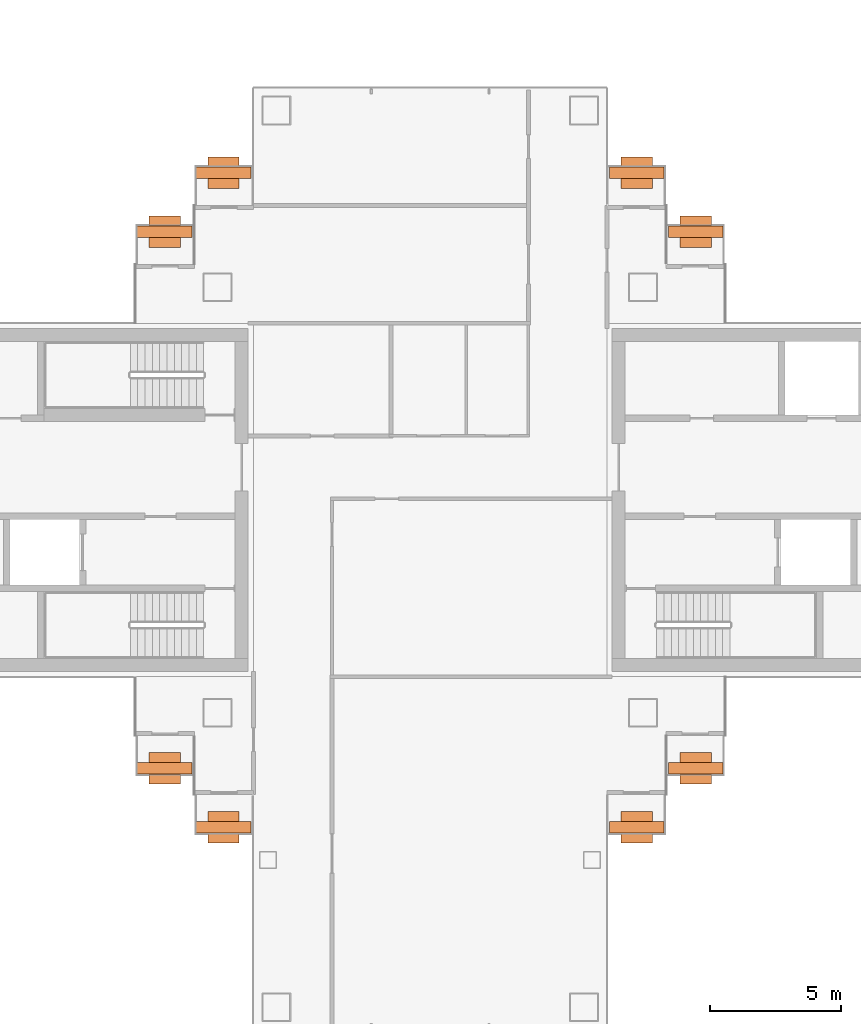
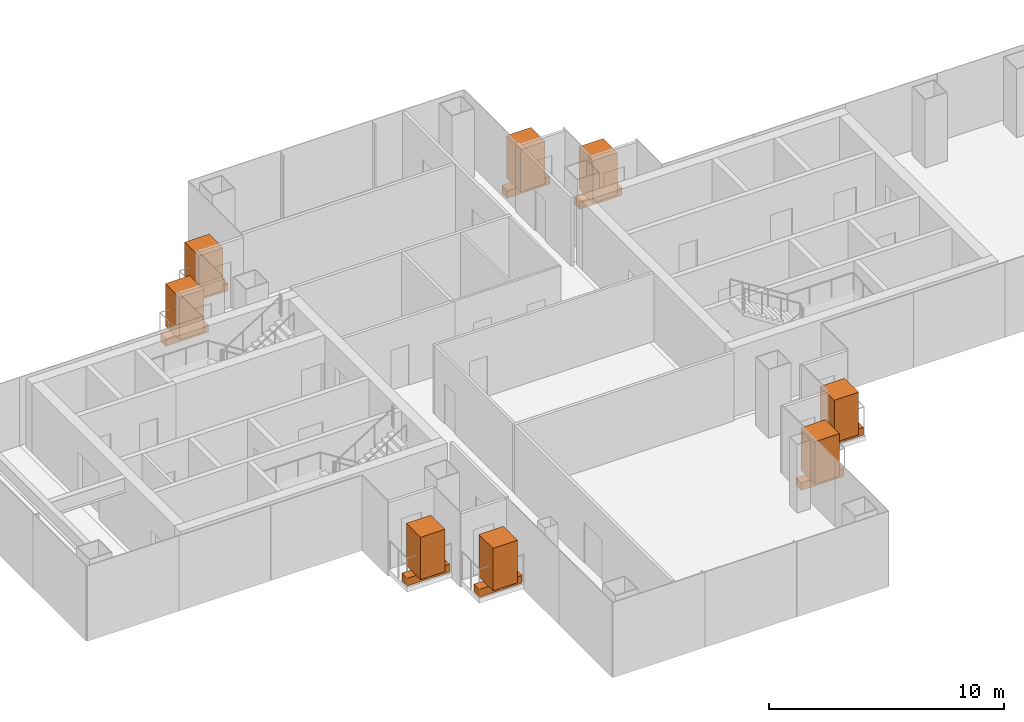
# One storey, part 16 of 16: 8 geographic elements, 8 proxies.
"""IFC4 building model written with IfcOpenShell, lengths in metres."""

from ifc_helpers import new_model, si_unit, direction, frame, origin, origin_2d, place, context, subcontext, project, spatial, rectangle, extrude, material, type_object, element, save


model = new_model("IFC4")

# Units and contexts
model_context = context("Model", 3, precision=1e-05, world=origin(), true_north=direction((0.0, 1.0)))
body_context = subcontext(model_context, "Body", "Model", "MODEL_VIEW")
ifc_project = project(units=[si_unit("LENGTHUNIT", "METRE"), si_unit("AREAUNIT", "SQUARE_METRE"), si_unit("VOLUMEUNIT", "CUBIC_METRE"), si_unit("PLANEANGLEUNIT", "RADIAN"), si_unit("MASSUNIT", "GRAM", prefix="KILO")], contexts=[model_context])

# Site, building, storey
site_placement = place(None, origin())
site = spatial("IfcSite", under=ifc_project, at=site_placement, CompositionType="ELEMENT")
building_placement = place(site_placement, origin())
building = spatial("IfcBuilding", under=site, at=building_placement, Name="Shamsa Quay Exchange Towers", CompositionType="ELEMENT")
storey_placement = place(building_placement, frame((0.0, 0.0, 150.60009765625)))
storey = spatial("IfcBuildingStorey", under=building, at=storey_placement, Name="L35", CompositionType="ELEMENT", Elevation=150.60009765625)

# Proxies
ifc_material_1 = material(Name="Reinforced concrete C30/37, black glass-fibre faced", Category="concrete")
building_element_proxy_type = type_object("IfcBuildingElementProxyType", Name="BALCONY PLANTER", PredefinedType="USERDEFINED", material=ifc_material_1)
for number, where, z_axis, x_axis, name in (
    (1, (-23.60595703125, 10.2451171875, 0.0), (0.0, 0.0, 1.0), (-1.0, 0.0, 0.0), "PLANTER T1-PKEN L35"),
    (2, (-25.85595703125, 12.4951171875, 0.0), (0.0, 0.0, 1.0), (-1.0, 0.0, 0.0), "PLANTER T1-PKEN L35"),
):
    element("IfcBuildingElementProxy", number, at=place(storey_placement, frame(where, z_axis=z_axis, x_axis=x_axis)), inside=storey, type_object=building_element_proxy_type, Name=name, ObjectType="PLANTER", PredefinedType="USERDEFINED", context=body_context, shape_type="SweptSolid", body=[
        extrude(rectangle(XDim=2.092041015625, YDim=0.449951171875, at=origin_2d()), origin(), (0.0, 0.0, 1.0), 0.39990234375),
    ])
for number, where, name in (
    (3, (-23.60595703125, -10.2451171875, 0.0), "PLANTER T1-PKES L35"),
    (4, (-25.85595703125, -12.4951171875, 0.0), "PLANTER T1-PKES L35"),
):
    element("IfcBuildingElementProxy", number, at=place(storey_placement, frame(where)), inside=storey, type_object=building_element_proxy_type, Name=name, ObjectType="PLANTER", PredefinedType="USERDEFINED", context=body_context, shape_type="SweptSolid", body=[
        extrude(rectangle(XDim=2.092041015625, YDim=0.449951171875, at=origin_2d()), origin(), (0.0, 0.0, 1.0), 0.39990234375),
    ])
for number, where, z_axis, x_axis, name in (
    (5, (-41.64404296875, 12.4951171875, 0.0), (0.0, 0.0, 1.0), (-1.0, 0.0, 0.0), "PLANTER T1-PKWN L35"),
    (6, (-43.89404296875, 10.2451171875, 0.0), (0.0, 0.0, 1.0), (-1.0, 0.0, 0.0), "PLANTER T1-PKWN L35"),
):
    element("IfcBuildingElementProxy", number, at=place(storey_placement, frame(where, z_axis=z_axis, x_axis=x_axis)), inside=storey, type_object=building_element_proxy_type, Name=name, ObjectType="PLANTER", PredefinedType="USERDEFINED", context=body_context, shape_type="SweptSolid", body=[
        extrude(rectangle(XDim=2.092041015625, YDim=0.449951171875, at=origin_2d()), origin(), (0.0, 0.0, 1.0), 0.39990234375),
    ])
for number, where, name in (
    (7, (-43.89404296875, -10.2451171875, 0.0), "PLANTER T1-PKWS L35"),
    (8, (-41.64404296875, -12.4951171875, 0.0), "PLANTER T1-PKWS L35"),
):
    element("IfcBuildingElementProxy", number, at=place(storey_placement, frame(where)), inside=storey, type_object=building_element_proxy_type, Name=name, ObjectType="PLANTER", PredefinedType="USERDEFINED", context=body_context, shape_type="SweptSolid", body=[
        extrude(rectangle(XDim=2.092041015625, YDim=0.449951171875, at=origin_2d()), origin(), (0.0, 0.0, 1.0), 0.39990234375),
    ])

# Geographic elements
ifc_material_2 = material(Name="Planting")
geographic_element_type = type_object("IfcGeographicElementType", Name="BALCONY TREE", PredefinedType="USERDEFINED", material=ifc_material_2)
for number, where, z_axis, x_axis, name in (
    (9, (-23.60595703125, 10.2451171875, 0.39990234375), (0.0, 0.0, 1.0), (-1.0, 0.0, 0.0), "TREE T1-PKEN L35"),
    (10, (-25.85595703125, 12.4951171875, 0.39990234375), (0.0, 0.0, 1.0), (-1.0, 0.0, 0.0), "TREE T1-PKEN L35"),
):
    element("IfcGeographicElement", number, at=place(storey_placement, frame(where, z_axis=z_axis, x_axis=x_axis)), inside=storey, type_object=geographic_element_type, Name=name, ObjectType="TREE", PredefinedType="USERDEFINED", context=body_context, shape_type="SweptSolid", body=[
        extrude(rectangle(XDim=1.199951171875, YDim=1.199951171875, at=origin_2d()), origin(), (0.0, 0.0, 1.0), 2.199951171875),
    ])
for number, where, name in (
    (11, (-23.60595703125, -10.2451171875, 0.39990234375), "TREE T1-PKES L35"),
    (12, (-25.85595703125, -12.4951171875, 0.39990234375), "TREE T1-PKES L35"),
):
    element("IfcGeographicElement", number, at=place(storey_placement, frame(where)), inside=storey, type_object=geographic_element_type, Name=name, ObjectType="TREE", PredefinedType="USERDEFINED", context=body_context, shape_type="SweptSolid", body=[
        extrude(rectangle(XDim=1.199951171875, YDim=1.199951171875, at=origin_2d()), origin(), (0.0, 0.0, 1.0), 2.199951171875),
    ])
for number, where, z_axis, x_axis, name in (
    (13, (-41.64404296875, 12.4951171875, 0.39990234375), (0.0, 0.0, 1.0), (-1.0, 0.0, 0.0), "TREE T1-PKWN L35"),
    (14, (-43.89404296875, 10.2451171875, 0.39990234375), (0.0, 0.0, 1.0), (-1.0, 0.0, 0.0), "TREE T1-PKWN L35"),
):
    element("IfcGeographicElement", number, at=place(storey_placement, frame(where, z_axis=z_axis, x_axis=x_axis)), inside=storey, type_object=geographic_element_type, Name=name, ObjectType="TREE", PredefinedType="USERDEFINED", context=body_context, shape_type="SweptSolid", body=[
        extrude(rectangle(XDim=1.199951171875, YDim=1.199951171875, at=origin_2d()), origin(), (0.0, 0.0, 1.0), 2.199951171875),
    ])
for number, where, name in (
    (15, (-43.89404296875, -10.2451171875, 0.39990234375), "TREE T1-PKWS L35"),
    (16, (-41.64404296875, -12.4951171875, 0.39990234375), "TREE T1-PKWS L35"),
):
    element("IfcGeographicElement", number, at=place(storey_placement, frame(where)), inside=storey, type_object=geographic_element_type, Name=name, ObjectType="TREE", PredefinedType="USERDEFINED", context=body_context, shape_type="SweptSolid", body=[
        extrude(rectangle(XDim=1.199951171875, YDim=1.199951171875, at=origin_2d()), origin(), (0.0, 0.0, 1.0), 2.199951171875),
    ])

save(model, "model.ifc")
